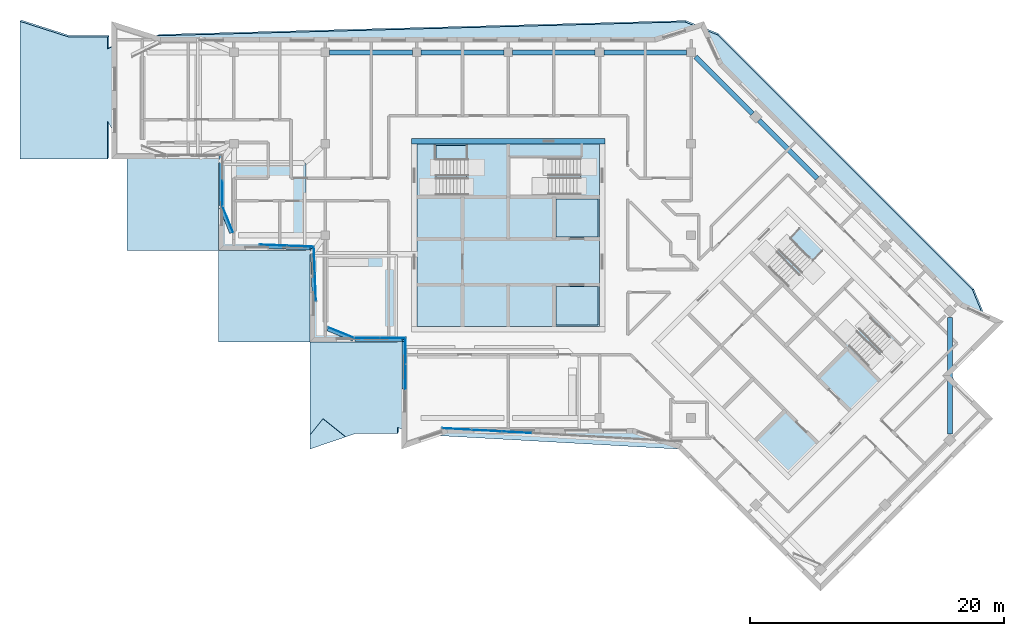
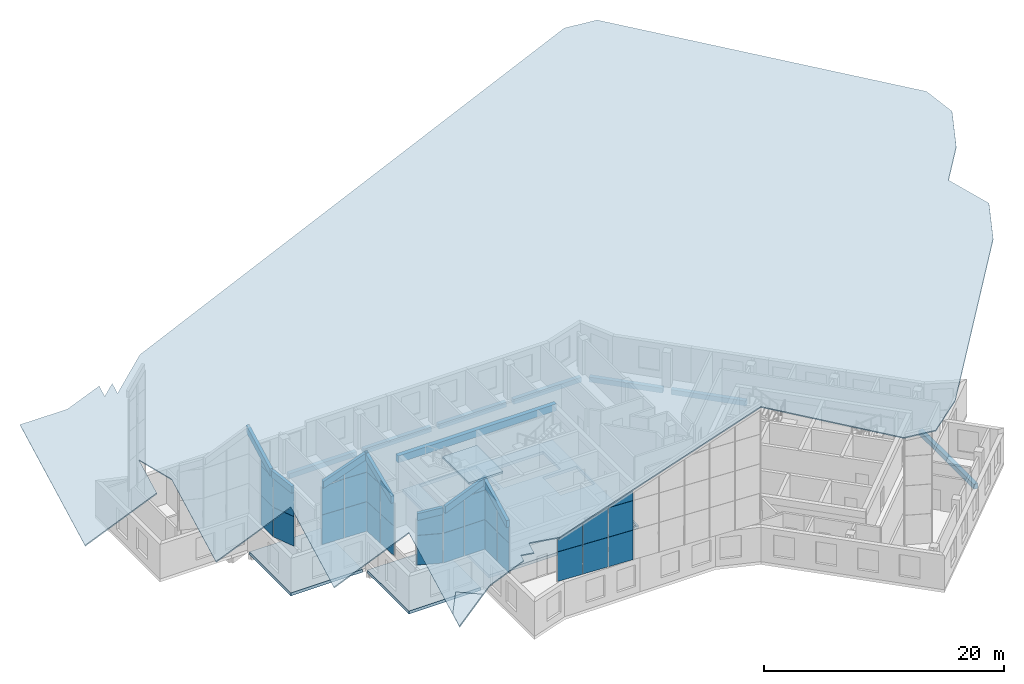
# One storey, part 9 of 20: 44 plates, 8 beams, 5 slabs, 4 openings, 9 elements without a shape of their own.
"""IFC4 building model written with IfcOpenShell, lengths in metres."""

from ifc_helpers import new_model, si_unit, direction, frame, origin, origin_2d, place, context, subcontext, project, spatial, polyline, rectangle, outline, extrude, material, layer, layer_set, material_profile, profile_set, type_object, element, aggregate, save


model = new_model("IFC4")

# Units and contexts
model_context = context("Model", 3, precision=1e-05, world=origin(), true_north=direction((0.0, 1.0)))
body_context = subcontext(model_context, "Body", "Model", "MODEL_VIEW")
ifc_project = project(units=[si_unit("LENGTHUNIT", "METRE"), si_unit("AREAUNIT", "SQUARE_METRE"), si_unit("VOLUMEUNIT", "CUBIC_METRE"), si_unit("PLANEANGLEUNIT", "RADIAN"), si_unit("MASSUNIT", "GRAM", prefix="KILO")], contexts=[model_context])

# Site, building, storey
site_placement = place(None, origin())
site = spatial("IfcSite", under=ifc_project, at=site_placement, CompositionType="ELEMENT")
building_placement = place(site_placement, origin())
building = spatial("IfcBuilding", under=site, at=building_placement, Name="Windrow Commons", CompositionType="ELEMENT")
storey_placement = place(building_placement, frame((0.0, 0.0, 290.6)))
storey = spatial("IfcBuildingStorey", under=building, at=storey_placement, Name="L79", CompositionType="ELEMENT", Elevation=290.6)

# Beams
ifc_material_1 = material(Name="Concrete C40/50", Category="concrete")
ifc_material_profile_1 = material_profile(ifc_material_1, rectangle(XDim=0.4, YDim=0.7, at=origin_2d()))
ifc_profile_set_1 = profile_set([ifc_material_profile_1], Name="Concrete C40/50")
beam_type_1 = type_object("IfcBeamType", Name="RC COUPLING BEAM 400x700 C40/50", PredefinedType="LINTEL", material=ifc_profile_set_1)
beam_1_placement = place(storey_placement, frame((57.2, 65.0, 3.15), z_axis=(1.0, 0.0, 0.0), x_axis=(0.0, 1.0, 0.0)))
element("IfcBeam", 1, at=beam_1_placement, inside=storey, type_object=beam_type_1, Name="Core A coupling beam outer-N", PredefinedType="LINTEL", context=body_context, shape_type="SweptSolid", body=[
    extrude(rectangle(XDim=0.4, YDim=0.7, at=origin_2d()), origin(), (0.0, 0.0, 1.0), 15.2),
])
ifc_material_2 = material(Name="Concrete C40/50", Category="concrete")
ifc_material_profile_2 = material_profile(ifc_material_2, rectangle(XDim=0.4, YDim=0.5, at=origin_2d()))
ifc_profile_set_2 = profile_set([ifc_material_profile_2], Name="Concrete C40/50")
beam_type_2 = type_object("IfcBeamType", Name="RC EDGE BEAM 400x500 C40/50", PredefinedType="SPANDREL", material=ifc_profile_set_2)
for number, where, z_axis, x_axis, name in (
    (2, (50.75, 72.0, -0.55), (1.0, 0.0, 0.0), (0.0, 1.0, 0.0), "Edge beam L79 008"),
    (3, (57.95, 72.0, -0.55), (1.0, 0.0, 0.0), (0.0, 1.0, 0.0), "Edge beam L79 009"),
    (4, (65.15, 72.0, -0.55), (1.0, 0.0, 0.0), (0.0, 1.0, 0.0), "Edge beam L79 010"),
    (5, (72.35, 72.0, -0.55), (1.0, 0.0, 0.0), (0.0, 1.0, 0.0), "Edge beam L79 011"),
):
    element("IfcBeam", number, at=place(storey_placement, frame(where, z_axis=z_axis, x_axis=x_axis)), inside=storey, type_object=beam_type_2, Name=name, PredefinedType="SPANDREL", context=body_context, shape_type="SweptSolid", body=[
        extrude(rectangle(XDim=0.4, YDim=0.5, at=origin_2d()), origin(), (0.0, 0.0, 1.0), 6.5),
    ])
beam_2_placement = place(storey_placement, frame((79.55, 71.65, -0.55), z_axis=(0.7071067812, -0.7071067812, 0.0), x_axis=(0.7071067812, 0.7071067812, 0.0)))
element("IfcBeam", 6, at=beam_2_placement, inside=storey, type_object=beam_type_2, Name="Edge beam L79 012", PredefinedType="SPANDREL", context=body_context, shape_type="SweptSolid", body=[
    extrude(rectangle(XDim=0.4, YDim=0.5, at=origin_2d()), origin(), (0.0, 0.0, 1.0), 6.3551),
])
beam_3_placement = place(storey_placement, frame((84.5387, 66.6613, -0.55), z_axis=(0.7071067812, -0.7071067812, 0.0), x_axis=(0.7071067812, 0.7071067812, 0.0)))
element("IfcBeam", 7, at=beam_3_placement, inside=storey, type_object=beam_type_2, Name="Edge beam L79 013", PredefinedType="SPANDREL", context=body_context, shape_type="SweptSolid", body=[
    extrude(rectangle(XDim=0.4, YDim=0.5, at=origin_2d()), origin(), (0.0, 0.0, 1.0), 6.4999),
])
beam_4_placement = place(storey_placement, frame((99.5647, 51.1403, -0.55), z_axis=(0.0, -1.0, 0.0), x_axis=(1.0, 0.0, 0.0)))
element("IfcBeam", 8, at=beam_4_placement, inside=storey, type_object=beam_type_2, Name="Edge beam L79 016", PredefinedType="SPANDREL", context=body_context, shape_type="SweptSolid", body=[
    extrude(rectangle(XDim=0.4, YDim=0.5, at=origin_2d()), origin(), (0.0, 0.0, 1.0), 9.1923),
])

# Slab, openings
ifc_material_3 = material(Name="Concrete C40/50", Category="concrete")
ifc_layer_1 = layer(ifc_material_3, 0.3)
ifc_layer_set_1 = layer_set([ifc_layer_1], Name="CORE FLOOR SLAB 300 C40/50")
slab_type_1 = type_object("IfcSlabType", Name="CORE FLOOR SLAB 300 C40/50", PredefinedType="FLOOR", material=ifc_layer_set_1)
placement_1 = place(storey_placement, frame((0.0, 0.0, -0.3)))
slab_1 = element("IfcSlab", 9, at=placement_1, inside=storey, type_object=slab_type_1, Name="S-L79-core-A", PredefinedType="FLOOR", context=body_context, shape_type="SweptSolid", body=[
    extrude(outline(polyline([(57.6, 50.4), (72.0, 50.4), (72.0, 64.8), (57.6, 64.8), (57.6, 50.4)]), holes=[polyline([(68.55, 50.55), (71.85, 50.55), (71.85, 53.55), (68.55, 53.55), (68.55, 50.55)]), polyline([(68.55, 57.45), (71.85, 57.45), (71.85, 60.45), (68.55, 60.45), (68.55, 57.45)]), polyline([(59.1, 60.75), (64.65, 60.75), (64.65, 64.65), (59.1, 64.65), (59.1, 60.75)]), polyline([(64.95, 60.75), (70.5, 60.75), (70.5, 63.705), (64.95, 63.705), (64.95, 60.75)])]), origin(), (0.0, 0.0, 1.0), 0.3),
])
opening_1_placement = place(placement_1, origin())
element("IfcOpeningElement", 10, at=opening_1_placement, cuts=slab_1, Name="Slab opening S-L79-core-A 1", PredefinedType="OPENING", context=body_context, shape_type="SweptSolid", body=[
    extrude(outline(polyline([(68.555, 50.555), (68.555, 53.545), (71.845, 53.545), (71.845, 50.555), (68.555, 50.555)])), origin(), (0.0, 0.0, 1.0), 0.3),
])
opening_2_placement = place(placement_1, origin())
element("IfcOpeningElement", 11, at=opening_2_placement, cuts=slab_1, Name="Slab opening S-L79-core-A 2", PredefinedType="OPENING", context=body_context, shape_type="SweptSolid", body=[
    extrude(outline(polyline([(68.555, 57.455), (68.555, 60.445), (71.845, 60.445), (71.845, 57.455), (68.555, 57.455)])), origin(), (0.0, 0.0, 1.0), 0.3),
])
opening_3_placement = place(placement_1, origin())
element("IfcOpeningElement", 12, at=opening_3_placement, cuts=slab_1, Name="Slab opening S-L79-core-A 3", PredefinedType="OPENING", context=body_context, shape_type="SweptSolid", body=[
    extrude(outline(polyline([(59.105, 60.755), (59.105, 64.645), (64.645, 64.645), (64.645, 60.755), (59.105, 60.755)])), origin(), (0.0, 0.0, 1.0), 0.3),
])
opening_4_placement = place(placement_1, origin())
element("IfcOpeningElement", 13, at=opening_4_placement, cuts=slab_1, Name="Slab opening S-L79-core-A 4", PredefinedType="OPENING", context=body_context, shape_type="SweptSolid", body=[
    extrude(outline(polyline([(64.955, 60.755), (64.955, 63.7), (70.495, 63.7), (70.495, 60.755), (64.955, 60.755)])), origin(), (0.0, 0.0, 1.0), 0.3),
])

# Stair, slab
ifc_material_4 = material(Name="Concrete C40/50", Category="concrete")
stair_type = type_object("IfcStairType", Name="Core stair", PredefinedType="HALF_TURN_STAIR", material=ifc_material_4)
placement_2 = place(storey_placement, origin())
stair = element("IfcStair", 14, at=placement_2, inside=storey, type_object=stair_type, Name="L79 Exit stair A1 core A", PredefinedType="HALF_TURN_STAIR")
ifc_material_5 = material(Name="Concrete C40/50", Category="concrete")
ifc_layer_2 = layer(ifc_material_5, 0.2)
ifc_layer_set_2 = layer_set([ifc_layer_2], Name="Core stair landing")
slab_type_2 = type_object("IfcSlabType", Name="Core stair landing", PredefinedType="LANDING", material=ifc_layer_set_2)
slab_2_placement = place(storey_placement, frame((0.0, 0.0, 1.7)))
slab_2 = element("IfcSlab", 15, at=slab_2_placement, type_object=slab_type_2, Name="ST-A1 landing 1", PredefinedType="LANDING", context=body_context, shape_type="SweptSolid", body=[
    extrude(outline(polyline([(61.5, 60.5), (64.8, 60.5), (64.8, 64.9), (61.5, 64.9), (61.5, 60.5)])), origin(), (0.0, 0.0, 1.0), 0.2),
])
aggregate(stair, [slab_2])

# Plates
ifc_material_6 = material(Name="Precast concrete C40/50", Category="concrete")
ifc_layer_3 = layer(ifc_material_6, 0.3)
ifc_layer_set_3 = layer_set([ifc_layer_3], Name="Crown eave fascia 300")
plate_type_1 = type_object("IfcPlateType", Name="Crown eave fascia 300", PredefinedType="SHEET", material=ifc_layer_set_3)
plate_1_placement = place(storey_placement, frame((56.73, 45.4788, 8.2026), z_axis=(1.0, 0.0, 0.0), x_axis=(0.0, 0.8847809977, 0.4660070665)))
element("IfcPlate", 16, at=plate_1_placement, inside=storey, type_object=plate_type_1, Name="Crown eave fascia", PredefinedType="SHEET", context=body_context, shape_type="SweptSolid", body=[
    extrude(outline(polyline([(0.0, 0.0), (4.5222, 0.0), (4.8485, 0.6193), (0.3262, 0.6193), (0.0, 0.0)])), origin(), (0.0, 0.0, -1.0), 0.3),
])
plate_2_placement = place(storey_placement, frame((56.68, 49.53, 10.3153), z_axis=(0.0, 1.0, 0.0), x_axis=(-0.9215281332, 0.0, -0.3883116014)))
element("IfcPlate", 17, at=plate_2_placement, inside=storey, type_object=plate_type_1, Name="Crown eave fascia", PredefinedType="SHEET", context=body_context, shape_type="SweptSolid", body=[
    extrude(outline(polyline([(0.0, 0.0), (4.2842, 0.0), (4.0124, 0.6451), (-0.2718, 0.6451), (0.0, 0.0)])), origin(), (0.0, 0.0, -1.0), 0.3),
])
plate_3_placement = place(storey_placement, frame((52.6356, 49.5487, 8.6209), z_axis=(0.3733360279, 0.9276961843, 0.0), x_axis=(-0.9106783948, 0.3664874992, -0.1906614126)))
element("IfcPlate", 18, at=plate_3_placement, inside=storey, type_object=plate_type_1, Name="Crown eave fascia", PredefinedType="SHEET", context=body_context, shape_type="SweptSolid", body=[
    extrude(outline(polyline([(0.0, 0.0), (2.184, 0.0), (2.0505, 0.6872), (-0.1335, 0.6872), (0.0, 0.0)])), origin(), (0.0, 0.0, -1.0), 0.3),
])
plate_4_placement = place(storey_placement, frame((49.6774, 52.464, 8.91), z_axis=(0.9991894965, 0.0402535733, 0.0), x_axis=(-0.0358693711, 0.8903631647, 0.4538356787)))
element("IfcPlate", 19, at=plate_4_placement, inside=storey, type_object=plate_type_1, Name="Crown eave fascia", PredefinedType="SHEET", context=body_context, shape_type="SweptSolid", body=[
    extrude(outline(polyline([(0.0, 0.0), (4.7088, 0.0), (5.0264, 0.6238), (0.3177, 0.6238), (0.0, 0.0)])), origin(), (0.0, 0.0, -1.0), 0.3),
])
plate_5_placement = place(storey_placement, frame((49.4565, 56.7085, 11.0525), z_axis=(0.0402535733, 0.9991894965, 0.0), x_axis=(-0.9277821178, 0.0373768395, -0.3712456245)))
element("IfcPlate", 20, at=plate_5_placement, inside=storey, type_object=plate_type_1, Name="Crown eave fascia", PredefinedType="SHEET", context=body_context, shape_type="SweptSolid", body=[
    extrude(outline(polyline([(0.0, 0.0), (4.5188, 0.0), (4.259, 0.65), (-0.2599, 0.65), (0.0, 0.0)])), origin(), (0.0, 0.0, -1.0), 0.3),
])
plate_6_placement = place(storey_placement, frame((43.1491, 57.8467, 8.9943), z_axis=(0.9276961843, 0.3733360279, 0.0), x_axis=(-0.3543921748, 0.8806229342, 0.3144987029)))
element("IfcPlate", 21, at=plate_6_placement, inside=storey, type_object=plate_type_1, Name="Crown eave fascia", PredefinedType="SHEET", context=body_context, shape_type="SweptSolid", body=[
    extrude(outline(polyline([(0.0, 0.0), (2.2585, 0.0), (2.4787, 0.6645), (0.2201, 0.6645), (0.0, 0.0)])), origin(), (0.0, 0.0, -1.0), 0.3),
])
plate_7_placement = place(storey_placement, frame((42.33, 59.932, 9.7475), z_axis=(1.0, 0.0, 0.0), x_axis=(0.0, 0.8847791484, 0.4660105778)))
element("IfcPlate", 22, at=plate_7_placement, inside=storey, type_object=plate_type_1, Name="Crown eave fascia", PredefinedType="SHEET", context=body_context, shape_type="SweptSolid", body=[
    extrude(outline(polyline([(0.0, 0.0), (4.4621, 0.0), (4.7883, 0.6193), (0.3262, 0.6193), (0.0, 0.0)])), origin(), (0.0, 0.0, -1.0), 0.3),
])
ifc_material_7 = material(Name="Laminated glass in aluminium frame", Category="aluminium")
ifc_layer_4 = layer(ifc_material_7, 0.04)
ifc_layer_set_4 = layer_set([ifc_layer_4], Name="Crown glazing panel 2400x3000")
plate_type_2 = type_object("IfcPlateType", Name="Crown glazing panel 2400x3000", PredefinedType="SHEET", material=ifc_layer_set_4)
plate_8_placement = place(storey_placement, frame((49.2, 40.767, 3.5978), z_axis=(-0.3493255439, -0.4366612211, 0.8290347655), x_axis=(-7.9854e-06, 0.884775675, 0.4660171723)))
element("IfcPlate", 23, at=plate_8_placement, inside=storey, type_object=plate_type_2, Name="Crown glazing 1", PredefinedType="SHEET", context=body_context, shape_type="SweptSolid", body=[
    extrude(outline(polyline([(0.0, 0.0), (1.2603, 0.0), (2.8852, -1.0776), (1.6227, -2.9811), (0.0, 0.0)])), origin(), (0.0, 0.0, -1.0), 0.04),
])

# Slab
ifc_material_8 = material(Name="Concrete C40/50 roof deck under the crown glazing", Category="concrete")
ifc_layer_5 = layer(ifc_material_8, 0.25)
ifc_layer_set_5 = layer_set([ifc_layer_5], Name="Crown roof plane 250")
slab_type_3 = type_object("IfcSlabType", Name="Crown roof plane 250", PredefinedType="ROOF", material=ifc_layer_set_5)
slab_3_placement = place(storey_placement, frame((37.249, 73.3044, 15.6514), z_axis=(-0.3493246815, -0.4366562363, 0.8290377544), x_axis=(0.916664038, 0.0240843279, 0.3989323084)))
element("IfcSlab", 24, at=slab_3_placement, inside=storey, type_object=slab_type_3, Name="Crown roof plane", PredefinedType="ROOF", context=body_context, shape_type="SweptSolid", body=[
    extrude(outline(polyline([(0.0, 0.0), (24.29, 0.0), (45.2196, 0.0), (47.7642, -1.2067), (64.849, -24.0), (65.3814, -26.7663), (63.6898, -29.4729), (62.1367, -30.7406), (61.3302, -31.399), (62.156, -33.7926), (62.6445, -35.2084), (60.9528, -37.915), (49.5745, -47.2029), (46.6497, -48.2646), (44.2051, -47.0591), (36.7896, -37.1658), (23.523, -36.0418), (16.6697, -35.4612), (14.4104, -34.206), (14.2038, -35.1811), (14.011, -35.0741), (13.2278, -34.6389), (13.1172, -35.1608), (9.5631, -35.0656), (5.3436, -36.3237), (7.2484, -27.3311), (7.3186, -26.9994), (6.9932, -26.9906), (-0.4916, -26.7902), (1.1244, -19.1609), (1.1946, -18.8292), (0.8692, -18.8204), (-6.6156, -18.62), (-4.9997, -10.9907), (-4.8806, -10.4285), (-5.0618, -9.8771), (-5.8975, -7.3343), (-6.5923, -10.6144), (-14.0771, -10.414), (-11.54, 1.564), (-7.9065, 0.1836), (-7.6574, 0.089), (-4.344, 0.0002), (-4.5626, -1.0318), (-3.3645, -0.5259), (-3.5726, -1.5086), (-3.1081, -1.3124), (0.0, 0.0)])), origin(), (0.0, 0.0, -1.0), 0.25),
])

# Curtain wall, plates
ifc_material_9 = material(Name="Laminated glass in anodised aluminium frame", Category="aluminium")
curtain_wall_type = type_object("IfcCurtainWallType", Name="Curtain wall crown terrace screen", PredefinedType="USERDEFINED", material=ifc_material_9)
curtain_wall_1 = element("IfcCurtainWall", 25, at=placement_2, inside=storey, type_object=curtain_wall_type, Name="Glazed crown screen L79", ObjectType="STICK", PredefinedType="USERDEFINED")
ifc_material_10 = material(Name="Laminated glass in aluminium frame", Category="aluminium")
ifc_layer_6 = layer(ifc_material_10, 0.03)
ifc_layer_set_6 = layer_set([ifc_layer_6], Name="Crown screen glazing 2400")
plate_type_3 = type_object("IfcPlateType", Name="Crown screen glazing 2400", PredefinedType="SHEET", material=ifc_layer_set_6)
plate_9_placement = place(storey_placement, frame((66.6225, 42.0339, 3.5), z_axis=(0.0557463297, 0.9984449643, 0.0), x_axis=(-0.9984449643, 0.0557463297, 0.0)))
plate_9 = element("IfcPlate", 26, at=plate_9_placement, type_object=plate_type_3, Name="Crown screen glazing L79", PredefinedType="SHEET", context=body_context, shape_type="SweptSolid", body=[
    extrude(outline(polyline([(0.0, 0.0), (2.3051, 0.0), (2.3051, 3.0), (0.0, 3.0), (0.0, 0.0)])), origin(), (0.0, 0.0, -1.0), 0.03),
])
plate_10_placement = place(storey_placement, frame((66.6225, 42.0339, 6.52), z_axis=(0.0557463297, 0.9984449643, 0.0), x_axis=(-0.9984449643, 0.0557463297, 0.0)))
plate_10 = element("IfcPlate", 27, at=plate_10_placement, type_object=plate_type_3, Name="Crown screen glazing L79", PredefinedType="SHEET", context=body_context, shape_type="SweptSolid", body=[
    extrude(outline(polyline([(0.0, 0.0), (2.3051, 0.0), (2.3051, 2.98), (0.0, 2.98), (0.0, 0.0)])), origin(), (0.0, 0.0, -1.0), 0.03),
])
plate_11_placement = place(storey_placement, frame((66.6225, 42.0339, 9.52), z_axis=(0.0557463297, 0.9984449643, 0.0), x_axis=(-0.9984449643, 0.0557463297, 0.0)))
plate_11 = element("IfcPlate", 28, at=plate_11_placement, type_object=plate_type_3, Name="Crown screen glazing L79", PredefinedType="SHEET", context=body_context, shape_type="SweptSolid", body=[
    extrude(outline(polyline([(0.0, 0.0), (2.3051, 0.0), (2.3051, 0.1026), (0.0, 1.0282), (0.0, 0.0)])), origin(), (0.0, 0.0, -1.0), 0.03),
])
plate_12_placement = place(storey_placement, frame((64.2611, 42.1658, 3.5), z_axis=(0.0557439152, 0.9984450991, 0.0), x_axis=(-0.9984450991, 0.0557439152, 0.0)))
plate_12 = element("IfcPlate", 29, at=plate_12_placement, type_object=plate_type_3, Name="Crown screen glazing L79", PredefinedType="SHEET", context=body_context, shape_type="SweptSolid", body=[
    extrude(outline(polyline([(0.0, 0.0), (2.3052, 0.0), (2.3052, 3.0), (0.0, 3.0), (0.0, 0.0)])), origin(), (0.0, 0.0, -1.0), 0.03),
])
plate_13_placement = place(storey_placement, frame((64.2611, 42.1658, 6.52), z_axis=(0.0557439152, 0.9984450991, 0.0), x_axis=(-0.9984450991, 0.0557439152, 0.0)))
plate_13 = element("IfcPlate", 30, at=plate_13_placement, type_object=plate_type_3, Name="Crown screen glazing L79", PredefinedType="SHEET", context=body_context, shape_type="SweptSolid", body=[
    extrude(outline(polyline([(0.0, 0.0), (2.3052, 0.0), (2.3052, 2.1771), (0.0, 2.98), (0.0, 0.0)])), origin(), (0.0, 0.0, -1.0), 0.03),
])
plate_14_placement = place(storey_placement, frame((61.8996, 42.2976, 3.5), z_axis=(0.0557871607, 0.9984426837, 0.0), x_axis=(-0.9984426837, 0.0557871607, 0.0)))
plate_14 = element("IfcPlate", 31, at=plate_14_placement, type_object=plate_type_3, Name="Crown screen glazing L79", PredefinedType="SHEET", context=body_context, shape_type="SweptSolid", body=[
    extrude(outline(polyline([(0.0, 0.0), (2.3052, 0.0), (2.3052, 3.0), (0.0, 3.0), (0.0, 0.0)])), origin(), (0.0, 0.0, -1.0), 0.03),
])
plate_15_placement = place(storey_placement, frame((61.8996, 42.2976, 6.52), z_axis=(0.0557871607, 0.9984426837, 0.0), x_axis=(-0.9984426837, 0.0557871607, 0.0)))
plate_15 = element("IfcPlate", 32, at=plate_15_placement, type_object=plate_type_3, Name="Crown screen glazing L79", PredefinedType="SHEET", context=body_context, shape_type="SweptSolid", body=[
    extrude(outline(polyline([(0.0, 0.0), (2.3052, 0.0), (2.3052, 1.2515), (0.0, 2.1771), (0.0, 0.0)])), origin(), (0.0, 0.0, -1.0), 0.03),
])
aggregate(curtain_wall_1, [plate_9, plate_10, plate_11, plate_12, plate_13, plate_14, plate_15])

curtain_wall_2 = element("IfcCurtainWall", 33, at=placement_2, inside=storey, type_object=curtain_wall_type, Name="Glazed crown screen L79", ObjectType="STICK", PredefinedType="USERDEFINED")
plate_16_placement = place(storey_placement, frame((56.73, 45.4588, 3.5), z_axis=(1.0, 0.0, 0.0), x_axis=(0.0, 1.0, 0.0)))
plate_16 = element("IfcPlate", 34, at=plate_16_placement, type_object=plate_type_3, Name="Crown screen glazing L79", PredefinedType="SHEET", context=body_context, shape_type="SweptSolid", body=[
    extrude(outline(polyline([(0.0, 0.0), (1.9906, 0.0), (1.9906, 3.0), (0.0, 3.0), (0.0, 0.0)])), origin(), (0.0, 0.0, -1.0), 0.03),
])
plate_17_placement = place(storey_placement, frame((56.73, 45.4588, 6.52), z_axis=(1.0, 0.0, 0.0), x_axis=(0.0, 1.0, 0.0)))
plate_17 = element("IfcPlate", 35, at=plate_17_placement, type_object=plate_type_3, Name="Crown screen glazing L79", PredefinedType="SHEET", context=body_context, shape_type="SweptSolid", body=[
    extrude(outline(polyline([(0.0, 0.0), (1.9906, 0.0), (1.9906, 2.7163), (0.0, 1.6363), (0.0, 0.0)])), origin(), (0.0, 0.0, -1.0), 0.03),
])
plate_18_placement = place(storey_placement, frame((56.73, 47.5094, 3.5), z_axis=(1.0, 0.0, 0.0), x_axis=(0.0, 1.0, 0.0)))
plate_18 = element("IfcPlate", 36, at=plate_18_placement, type_object=plate_type_3, Name="Crown screen glazing L79", PredefinedType="SHEET", context=body_context, shape_type="SweptSolid", body=[
    extrude(outline(polyline([(0.0, 0.0), (1.9906, 0.0), (1.9906, 3.0), (0.0, 3.0), (0.0, 0.0)])), origin(), (0.0, 0.0, -1.0), 0.03),
])
plate_19_placement = place(storey_placement, frame((56.73, 47.5094, 6.52), z_axis=(1.0, 0.0, 0.0), x_axis=(0.0, 1.0, 0.0)))
plate_19 = element("IfcPlate", 37, at=plate_19_placement, type_object=plate_type_3, Name="Crown screen glazing L79", PredefinedType="SHEET", context=body_context, shape_type="SweptSolid", body=[
    extrude(outline(polyline([(0.0, 0.0), (1.9906, 0.0), (1.9906, 2.98), (0.0, 2.7163), (0.0, 0.0)])), origin(), (0.0, 0.0, -1.0), 0.03),
])
plate_20_placement = place(storey_placement, frame((56.73, 47.5094, 9.52), z_axis=(1.0, 0.0, 0.0), x_axis=(0.0, 1.0, 0.0)))
plate_20 = element("IfcPlate", 38, at=plate_20_placement, type_object=plate_type_3, Name="Crown screen glazing L79", PredefinedType="SHEET", context=body_context, shape_type="SweptSolid", body=[
    extrude(outline(polyline([(0.0, 0.0), (1.9906, 0.0), (1.9906, 0.7964), (0.0, 0.0)])), origin(), (0.0, 0.0, -1.0), 0.03),
])
aggregate(curtain_wall_2, [plate_16, plate_17, plate_18, plate_19, plate_20])

curtain_wall_3 = element("IfcCurtainWall", 39, at=placement_2, inside=storey, type_object=curtain_wall_type, Name="Glazed crown screen L79", ObjectType="STICK", PredefinedType="USERDEFINED")
plate_21_placement = place(storey_placement, frame((56.7, 49.53, 3.5), z_axis=(0.0, 1.0, 0.0), x_axis=(-1.0, 0.0, 0.0)))
plate_21 = element("IfcPlate", 40, at=plate_21_placement, type_object=plate_type_3, Name="Crown screen glazing L79", PredefinedType="SHEET", context=body_context, shape_type="SweptSolid", body=[
    extrude(outline(polyline([(0.0, 0.0), (1.964, 0.0), (1.964, 3.0), (0.0, 3.0), (0.0, 0.0)])), origin(), (0.0, 0.0, -1.0), 0.03),
])
plate_22_placement = place(storey_placement, frame((56.7, 49.53, 6.52), z_axis=(0.0, 1.0, 0.0), x_axis=(-1.0, 0.0, 0.0)))
plate_22 = element("IfcPlate", 41, at=plate_22_placement, type_object=plate_type_3, Name="Crown screen glazing L79", PredefinedType="SHEET", context=body_context, shape_type="SweptSolid", body=[
    extrude(outline(polyline([(0.0, 0.0), (1.964, 0.0), (1.964, 2.9435), (0.0, 2.98), (0.0, 0.0)])), origin(), (0.0, 0.0, -1.0), 0.03),
])
plate_23_placement = place(storey_placement, frame((56.7, 49.53, 9.52), z_axis=(0.0, 1.0, 0.0), x_axis=(-1.0, 0.0, 0.0)))
plate_23 = element("IfcPlate", 42, at=plate_23_placement, type_object=plate_type_3, Name="Crown screen glazing L79", PredefinedType="SHEET", context=body_context, shape_type="SweptSolid", body=[
    extrude(outline(polyline([(0.0, 0.0), (1.964, 0.0), (0.0, 0.7964), (0.0, 0.0)])), origin(), (0.0, 0.0, -1.0), 0.03),
])
plate_24_placement = place(storey_placement, frame((54.676, 49.53, 3.5), z_axis=(0.0, 1.0, 0.0), x_axis=(-1.0, 0.0, 0.0)))
plate_24 = element("IfcPlate", 43, at=plate_24_placement, type_object=plate_type_3, Name="Crown screen glazing L79", PredefinedType="SHEET", context=body_context, shape_type="SweptSolid", body=[
    extrude(outline(polyline([(0.0, 0.0), (1.964, 0.0), (1.964, 3.0), (0.0, 3.0), (0.0, 0.0)])), origin(), (0.0, 0.0, -1.0), 0.03),
])
plate_25_placement = place(storey_placement, frame((54.676, 49.53, 6.52), z_axis=(0.0, 1.0, 0.0), x_axis=(-1.0, 0.0, 0.0)))
plate_25 = element("IfcPlate", 44, at=plate_25_placement, type_object=plate_type_3, Name="Crown screen glazing L79", PredefinedType="SHEET", context=body_context, shape_type="SweptSolid", body=[
    extrude(outline(polyline([(0.0, 0.0), (1.964, 0.0), (1.964, 2.0907), (0.0, 2.9435), (0.0, 0.0)])), origin(), (0.0, 0.0, -1.0), 0.03),
])
aggregate(curtain_wall_3, [plate_21, plate_22, plate_23, plate_24, plate_25])

curtain_wall_4 = element("IfcCurtainWall", 45, at=placement_2, inside=storey, type_object=curtain_wall_type, Name="Glazed crown screen L79", ObjectType="STICK", PredefinedType="USERDEFINED")
plate_26_placement = place(storey_placement, frame((52.6541, 49.5412, 3.5), z_axis=(0.373363501, 0.9276851277, 0.0), x_axis=(-0.9276851277, 0.373363501, 0.0)))
plate_26 = element("IfcPlate", 46, at=plate_26_placement, type_object=plate_type_3, Name="Crown screen glazing L79", PredefinedType="SHEET", context=body_context, shape_type="SweptSolid", body=[
    extrude(outline(polyline([(0.0, 0.0), (2.1839, 0.0), (2.1839, 3.0), (0.0, 3.0), (0.0, 0.0)])), origin(), (0.0, 0.0, -1.0), 0.03),
])
plate_27_placement = place(storey_placement, frame((52.6541, 49.5412, 6.52), z_axis=(0.373363501, 0.9276851277, 0.0), x_axis=(-0.9276851277, 0.373363501, 0.0)))
plate_27 = element("IfcPlate", 47, at=plate_27_placement, type_object=plate_type_3, Name="Crown screen glazing L79", PredefinedType="SHEET", context=body_context, shape_type="SweptSolid", body=[
    extrude(outline(polyline([(0.0, 0.0), (2.1839, 0.0), (2.1839, 1.6548), (0.0, 2.0907), (0.0, 0.0)])), origin(), (0.0, 0.0, -1.0), 0.03),
])
aggregate(curtain_wall_4, [plate_26, plate_27])

curtain_wall_5 = element("IfcCurtainWall", 48, at=placement_2, inside=storey, type_object=curtain_wall_type, Name="Glazed crown screen L79", ObjectType="STICK", PredefinedType="USERDEFINED")
plate_28_placement = place(storey_placement, frame((49.6782, 52.4441, 3.5), z_axis=(0.999188439, 0.0402798139, 0.0), x_axis=(-0.0402798139, 0.999188439, 0.0)))
plate_28 = element("IfcPlate", 49, at=plate_28_placement, type_object=plate_type_3, Name="Crown screen glazing L79", PredefinedType="SHEET", context=body_context, shape_type="SweptSolid", body=[
    extrude(outline(polyline([(0.0, 0.0), (2.0879, 0.0), (2.0879, 3.0), (0.0, 3.0), (0.0, 0.0)])), origin(), (0.0, 0.0, -1.0), 0.03),
])
plate_29_placement = place(storey_placement, frame((49.6782, 52.4441, 6.52), z_axis=(0.999188439, 0.0402798139, 0.0), x_axis=(-0.0402798139, 0.999188439, 0.0)))
plate_29 = element("IfcPlate", 50, at=plate_29_placement, type_object=plate_type_3, Name="Crown screen glazing L79", PredefinedType="SHEET", context=body_context, shape_type="SweptSolid", body=[
    extrude(outline(polyline([(0.0, 0.0), (2.0879, 0.0), (2.0879, 2.98), (0.0, 2.3445), (0.0, 0.0)])), origin(), (0.0, 0.0, -1.0), 0.03),
])
plate_30_placement = place(storey_placement, frame((49.6782, 52.4441, 9.52), z_axis=(0.999188439, 0.0402798139, 0.0), x_axis=(-0.0402798139, 0.999188439, 0.0)))
plate_30 = element("IfcPlate", 51, at=plate_30_placement, type_object=plate_type_3, Name="Crown screen glazing L79", PredefinedType="SHEET", context=body_context, shape_type="SweptSolid", body=[
    extrude(outline(polyline([(0.0, 0.0), (2.0879, 0.0), (2.0879, 0.4385), (0.0, 0.0)])), origin(), (0.0, 0.0, -1.0), 0.03),
])
plate_31_placement = place(storey_placement, frame((49.5917, 54.5903, 3.5), z_axis=(0.9991903655, 0.0402319963, 0.0), x_axis=(-0.0402319963, 0.9991903655, 0.0)))
plate_31 = element("IfcPlate", 52, at=plate_31_placement, type_object=plate_type_3, Name="Crown screen glazing L79", PredefinedType="SHEET", context=body_context, shape_type="SweptSolid", body=[
    extrude(outline(polyline([(0.0, 0.0), (2.0879, 0.0), (2.0879, 3.0), (0.0, 3.0), (0.0, 0.0)])), origin(), (0.0, 0.0, -1.0), 0.03),
])
plate_32_placement = place(storey_placement, frame((49.5917, 54.5903, 6.52), z_axis=(0.9991903655, 0.0402319963, 0.0), x_axis=(-0.0402319963, 0.9991903655, 0.0)))
plate_32 = element("IfcPlate", 53, at=plate_32_placement, type_object=plate_type_3, Name="Crown screen glazing L79", PredefinedType="SHEET", context=body_context, shape_type="SweptSolid", body=[
    extrude(outline(polyline([(0.0, 0.0), (2.0879, 0.0), (2.0879, 2.98), (0.0, 2.98), (0.0, 0.0)])), origin(), (0.0, 0.0, -1.0), 0.03),
])
plate_33_placement = place(storey_placement, frame((49.5917, 54.5903, 9.52), z_axis=(0.9991903655, 0.0402319963, 0.0), x_axis=(-0.0402319963, 0.9991903655, 0.0)))
plate_33 = element("IfcPlate", 54, at=plate_33_placement, type_object=plate_type_3, Name="Crown screen glazing L79", PredefinedType="SHEET", context=body_context, shape_type="SweptSolid", body=[
    extrude(outline(polyline([(0.0, 0.0), (2.0879, 0.0), (2.0879, 1.5325), (0.0, 0.4385), (0.0, 0.0)])), origin(), (0.0, 0.0, -1.0), 0.03),
])
aggregate(curtain_wall_5, [plate_28, plate_29, plate_30, plate_31, plate_32, plate_33])

curtain_wall_6 = element("IfcCurtainWall", 55, at=placement_2, inside=storey, type_object=curtain_wall_type, Name="Glazed crown screen L79", ObjectType="STICK", PredefinedType="USERDEFINED")
plate_34_placement = place(storey_placement, frame((49.4765, 56.7077, 3.5), z_axis=(0.0402319963, 0.9991903655, 0.0), x_axis=(-0.9991903655, 0.0402319963, 0.0)))
plate_34 = element("IfcPlate", 56, at=plate_34_placement, type_object=plate_type_3, Name="Crown screen glazing L79", PredefinedType="SHEET", context=body_context, shape_type="SweptSolid", body=[
    extrude(outline(polyline([(0.0, 0.0), (2.0879, 0.0), (2.0879, 3.0), (0.0, 3.0), (0.0, 0.0)])), origin(), (0.0, 0.0, -1.0), 0.03),
])
plate_35_placement = place(storey_placement, frame((49.4765, 56.7077, 6.52), z_axis=(0.0402319963, 0.9991903655, 0.0), x_axis=(-0.9991903655, 0.0402319963, 0.0)))
plate_35 = element("IfcPlate", 57, at=plate_35_placement, type_object=plate_type_3, Name="Crown screen glazing L79", PredefinedType="SHEET", context=body_context, shape_type="SweptSolid", body=[
    extrude(outline(polyline([(0.0, 0.0), (2.0879, 0.0), (2.0879, 2.98), (0.0, 2.98), (0.0, 0.0)])), origin(), (0.0, 0.0, -1.0), 0.03),
])
plate_36_placement = place(storey_placement, frame((49.4765, 56.7077, 9.52), z_axis=(0.0402319963, 0.9991903655, 0.0), x_axis=(-0.9991903655, 0.0402319963, 0.0)))
plate_36 = element("IfcPlate", 58, at=plate_36_placement, type_object=plate_type_3, Name="Crown screen glazing L79", PredefinedType="SHEET", context=body_context, shape_type="SweptSolid", body=[
    extrude(outline(polyline([(0.0, 0.0), (2.0879, 0.0), (2.0879, 0.6737), (0.0, 1.5325), (0.0, 0.0)])), origin(), (0.0, 0.0, -1.0), 0.03),
])
plate_37_placement = place(storey_placement, frame((47.3303, 56.7941, 3.5), z_axis=(0.0402798139, 0.999188439, 0.0), x_axis=(-0.999188439, 0.0402798139, 0.0)))
plate_37 = element("IfcPlate", 59, at=plate_37_placement, type_object=plate_type_3, Name="Crown screen glazing L79", PredefinedType="SHEET", context=body_context, shape_type="SweptSolid", body=[
    extrude(outline(polyline([(0.0, 0.0), (2.0879, 0.0), (2.0879, 3.0), (0.0, 3.0), (0.0, 0.0)])), origin(), (0.0, 0.0, -1.0), 0.03),
])
plate_38_placement = place(storey_placement, frame((47.3303, 56.7941, 6.52), z_axis=(0.0402798139, 0.999188439, 0.0), x_axis=(-0.999188439, 0.0402798139, 0.0)))
plate_38 = element("IfcPlate", 60, at=plate_38_placement, type_object=plate_type_3, Name="Crown screen glazing L79", PredefinedType="SHEET", context=body_context, shape_type="SweptSolid", body=[
    extrude(outline(polyline([(0.0, 0.0), (2.0879, 0.0), (2.0879, 2.8149), (0.0, 2.98), (0.0, 0.0)])), origin(), (0.0, 0.0, -1.0), 0.03),
])
plate_39_placement = place(storey_placement, frame((47.3303, 56.7941, 9.52), z_axis=(0.0402798139, 0.999188439, 0.0), x_axis=(-0.999188439, 0.0402798139, 0.0)))
plate_39 = element("IfcPlate", 61, at=plate_39_placement, type_object=plate_type_3, Name="Crown screen glazing L79", PredefinedType="SHEET", context=body_context, shape_type="SweptSolid", body=[
    extrude(outline(polyline([(0.0, 0.0), (2.0879, 0.0), (0.0, 0.6737), (0.0, 0.0)])), origin(), (0.0, 0.0, -1.0), 0.03),
])
aggregate(curtain_wall_6, [plate_34, plate_35, plate_36, plate_37, plate_38, plate_39])

curtain_wall_7 = element("IfcCurtainWall", 62, at=placement_2, inside=storey, type_object=curtain_wall_type, Name="Glazed crown screen L79", ObjectType="STICK", PredefinedType="USERDEFINED")
plate_40_placement = place(storey_placement, frame((43.1566, 57.8281, 3.5), z_axis=(0.9276851277, 0.373363501, 0.0), x_axis=(-0.373363501, 0.9276851277, 0.0)))
plate_40 = element("IfcPlate", 63, at=plate_40_placement, type_object=plate_type_3, Name="Crown screen glazing L79", PredefinedType="SHEET", context=body_context, shape_type="SweptSolid", body=[
    extrude(outline(polyline([(0.0, 0.0), (2.1839, 0.0), (2.1839, 3.0), (0.0, 3.0), (0.0, 0.0)])), origin(), (0.0, 0.0, -1.0), 0.03),
])
plate_41_placement = place(storey_placement, frame((43.1566, 57.8281, 6.52), z_axis=(0.9276851277, 0.373363501, 0.0), x_axis=(-0.373363501, 0.9276851277, 0.0)))
plate_41 = element("IfcPlate", 64, at=plate_41_placement, type_object=plate_type_3, Name="Crown screen glazing L79", PredefinedType="SHEET", context=body_context, shape_type="SweptSolid", body=[
    extrude(outline(polyline([(0.0, 0.0), (2.1839, 0.0), (2.1839, 2.98), (0.0, 2.4377), (0.0, 0.0)])), origin(), (0.0, 0.0, -1.0), 0.03),
])
aggregate(curtain_wall_7, [plate_40, plate_41])

curtain_wall_8 = element("IfcCurtainWall", 65, at=placement_2, inside=storey, type_object=curtain_wall_type, Name="Glazed crown screen L79", ObjectType="STICK", PredefinedType="USERDEFINED")
plate_42_placement = place(storey_placement, frame((42.33, 59.912, 3.5), z_axis=(1.0, 0.0, 0.0), x_axis=(0.0, 1.0, 0.0)))
plate_42 = element("IfcPlate", 66, at=plate_42_placement, type_object=plate_type_3, Name="Crown screen glazing L79", PredefinedType="SHEET", context=body_context, shape_type="SweptSolid", body=[
    extrude(outline(polyline([(0.0, 0.0), (1.964, 0.0), (1.964, 3.0), (0.0, 3.0), (0.0, 0.0)])), origin(), (0.0, 0.0, -1.0), 0.03),
])
plate_43_placement = place(storey_placement, frame((42.33, 59.912, 6.52), z_axis=(1.0, 0.0, 0.0), x_axis=(0.0, 1.0, 0.0)))
plate_43 = element("IfcPlate", 67, at=plate_43_placement, type_object=plate_type_3, Name="Crown screen glazing L79", PredefinedType="SHEET", context=body_context, shape_type="SweptSolid", body=[
    extrude(outline(polyline([(0.0, 0.0), (1.964, 0.0), (1.964, 2.98), (0.0, 2.98), (0.0, 0.0)])), origin(), (0.0, 0.0, -1.0), 0.03),
])
plate_44_placement = place(storey_placement, frame((42.33, 59.912, 9.52), z_axis=(1.0, 0.0, 0.0), x_axis=(0.0, 1.0, 0.0)))
plate_44 = element("IfcPlate", 68, at=plate_44_placement, type_object=plate_type_3, Name="Crown screen glazing L79", PredefinedType="SHEET", context=body_context, shape_type="SweptSolid", body=[
    extrude(outline(polyline([(0.0, 0.0), (1.964, 0.0), (1.964, 1.2472), (0.0, 0.1811), (0.0, 0.0)])), origin(), (0.0, 0.0, -1.0), 0.03),
])
aggregate(curtain_wall_8, [plate_42, plate_43, plate_44])

# Slabs
ifc_material_11 = material(Name="Concrete C40/50", Category="concrete")
ifc_layer_7 = layer(ifc_material_11, 0.3)
ifc_layer_set_7 = layer_set([ifc_layer_7], Name="TERRACE SLAB 300 C40/50")
slab_type_4 = type_object("IfcSlabType", Name="TERRACE SLAB 300 C40/50", PredefinedType="FLOOR", material=ifc_layer_set_7)
element("IfcSlab", 69, at=placement_1, inside=storey, type_object=slab_type_4, Name="Terrace slab TR-L79-2", PredefinedType="FLOOR", context=body_context, shape_type="SweptSolid", body=[
    extrude(outline(polyline([(42.0, 63.3), (42.0, 56.4), (48.9, 56.4), (48.9, 63.3), (42.0, 63.3)])), origin(), (0.0, 0.0, 1.0), 0.3),
])
element("IfcSlab", 70, at=placement_1, inside=storey, type_object=slab_type_4, Name="Terrace slab TR-L79-3", PredefinedType="FLOOR", context=body_context, shape_type="SweptSolid", body=[
    extrude(outline(polyline([(49.2, 56.1), (49.2, 49.2), (56.1, 49.2), (56.1, 56.1), (49.2, 56.1)])), origin(), (0.0, 0.0, 1.0), 0.3),
])

save(model, "model.ifc")
